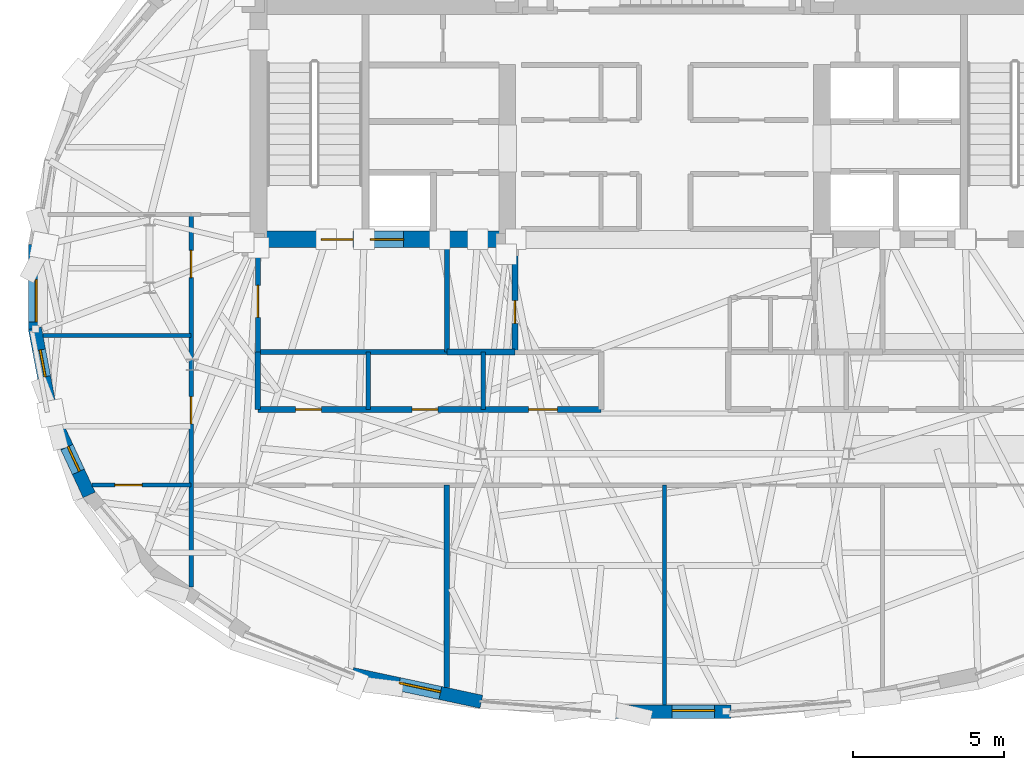
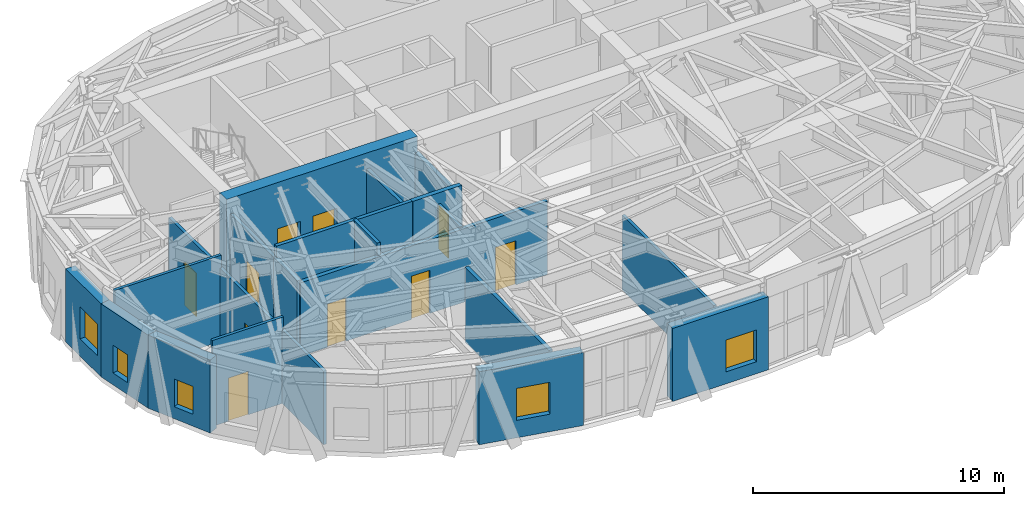
# One storey, part 8 of 15: 20 walls, 10 doors, 5 windows, 15 openings.
"""IFC4 building model written with IfcOpenShell, lengths in metres."""

import ifcopenshell
import ifcopenshell.guid

model = None  # the IFC model being written
_history = None  # IfcOwnerHistory: only IFC2X3 demands one
_inside = {}  # id of a spatial element -> (the spatial element, [elements in it])
_under = {}  # id of a project, library or spatial element -> (it, [spatial elements below it])
_declared = {}  # id of a project -> (the project, [libraries it declares])
_typed = {}  # id of a type object -> (the type object, [elements of that type])
_made_of = {}  # id of a material, layer set ... -> (it, [elements and type objects made of it])


def new_model(schema):
    """Start an empty IFC model of exactly this schema.

    Asked for "IFC4X3", IfcOpenShell would pick the latest addendum, in which some entities
    have other attributes; the version numbers below select the first issue.
    IFC2X3 requires an IfcOwnerHistory on every rooted entity: one is made here for all.
    """
    global model, _history
    if schema == "IFC4X3":
        model = ifcopenshell.file(schema_version=(4, 3, 0, 0))
    else:
        model = ifcopenshell.file(schema=schema)
    _inside.clear()
    _under.clear()
    _declared.clear()
    _typed.clear()
    _made_of.clear()
    _history = None
    if model.schema == "IFC2X3":
        org = make("IfcOrganization", Name="unknown")
        user = make(
            "IfcPersonAndOrganization",
            ThePerson=make("IfcPerson", FamilyName="unknown"),
            TheOrganization=org,
        )
        app = make(
            "IfcApplication",
            ApplicationDeveloper=org,
            Version="unknown",
            ApplicationFullName="unknown",
            ApplicationIdentifier="unknown",
        )
        _history = make(
            "IfcOwnerHistory",
            OwningUser=user,
            OwningApplication=app,
            ChangeAction="ADDED",
            CreationDate=0,
        )
    return model


def make(cls, **values):
    """One entity of the class cls with the attributes given. An attribute that is None is left unset."""
    return model.create_entity(
        cls, **{name: value for name, value in values.items() if value is not None}
    )


def rooted(cls, **values):
    """An entity with a GlobalId (a new one), such as an element, a storey or a relation."""
    return make(cls, GlobalId=ifcopenshell.guid.new(), OwnerHistory=_history, **values)


def si_unit(unit_type, name, prefix=None):
    """IfcSIUnit, for example si_unit("LENGTHUNIT", "METRE", prefix="MILLI")."""
    return make("IfcSIUnit", UnitType=unit_type, Prefix=prefix, Name=name)


def assignment(units):
    """IfcUnitAssignment: the units of a project."""
    return None if units is None else make("IfcUnitAssignment", Units=units)


def point(xyz):
    """IfcCartesianPoint."""
    return None if xyz is None else make("IfcCartesianPoint", Coordinates=xyz)


def direction(xyz):
    """IfcDirection."""
    return None if xyz is None else make("IfcDirection", DirectionRatios=xyz)


def frame(location, z_axis=None, x_axis=None):
    """IfcAxis2Placement3D, a coordinate frame: its origin and axes. An axis left out is left unset."""
    return make(
        "IfcAxis2Placement3D",
        Location=point(location),
        Axis=direction(z_axis),
        RefDirection=direction(x_axis),
    )


def frame_2d(location, x_axis=None):
    """IfcAxis2Placement2D, a coordinate frame in the plane: its origin and x axis."""
    return make(
        "IfcAxis2Placement2D", Location=point(location), RefDirection=direction(x_axis)
    )


def origin():
    """The frame at (0, 0, 0) with its axes left unset."""
    return frame((0.0, 0.0, 0.0))


def place(relative_to, where):
    """IfcLocalPlacement: puts the frame where relative to a parent placement (None: the world)."""
    return make(
        "IfcLocalPlacement", PlacementRelTo=relative_to, RelativePlacement=where
    )


def context(
    kind, dimensions, precision=None, world=None, true_north=None, identifier=None
):
    """IfcGeometricRepresentationContext, for example the 3D "Model" context."""
    return make(
        "IfcGeometricRepresentationContext",
        ContextIdentifier=identifier,
        ContextType=kind,
        CoordinateSpaceDimension=dimensions,
        Precision=precision,
        WorldCoordinateSystem=world,
        TrueNorth=true_north,
    )


def subcontext(parent, identifier, kind, view, scale=None):
    """IfcGeometricRepresentationSubContext, for example "Body" below "Model"."""
    return make(
        "IfcGeometricRepresentationSubContext",
        ContextIdentifier=identifier,
        ContextType=kind,
        ParentContext=parent,
        TargetScale=scale,
        TargetView=view,
    )


def project(units=None, contexts=None):
    """IfcProject with its units and contexts."""
    return rooted(
        "IfcProject",
        Name="project",
        RepresentationContexts=contexts,
        UnitsInContext=assignment(units),
    )


def spatial(cls, under=None, at=None, **own):
    """A site, building, storey or space (cls), placed at a placement, below another one or the project."""
    s = rooted(cls, ObjectPlacement=at, **own)
    if under is not None:
        _under.setdefault(under.id(), (under, []))[1].append(s)
    return s


def profile(cls, at=None, kind="AREA", **sizes):
    """A parametric profile (cls). Its sizes go by their IFC names, for example OverallWidth=200.0."""
    return make(cls, ProfileType=kind, Position=at, **sizes)


def rectangle(**sizes):
    """IfcRectangleProfileDef."""
    return profile("IfcRectangleProfileDef", **sizes)


def extrude(swept, where, along, depth):
    """IfcExtrudedAreaSolid: the profile swept, set in the frame where, extruded along a direction by depth."""
    return make(
        "IfcExtrudedAreaSolid",
        SweptArea=swept,
        Position=where,
        ExtrudedDirection=direction(along),
        Depth=depth,
    )


def shape(context_of_items, identifier, shape_type, items):
    """IfcShapeRepresentation: the items that make up one representation, for example the "Body"."""
    return make(
        "IfcShapeRepresentation",
        ContextOfItems=context_of_items,
        RepresentationIdentifier=identifier,
        RepresentationType=shape_type,
        Items=items,
    )


def material(Name=None, Category=None):
    """IfcMaterial."""
    return make("IfcMaterial", Name=Name, Category=Category)


def layer(
    of_material, thickness, ventilated=None, Name=None, Category=None, Priority=None
):
    """IfcMaterialLayer: one layer of a wall or slab, of a material (None: an air gap)."""
    return make(
        "IfcMaterialLayer",
        Material=of_material,
        LayerThickness=thickness,
        IsVentilated=ventilated,
        Name=Name,
        Category=Category,
        Priority=Priority,
    )


def layer_set(layers, Name=None):
    """IfcMaterialLayerSet."""
    return make("IfcMaterialLayerSet", MaterialLayers=layers, LayerSetName=Name)


def made_of(thing, what):
    """Note that an element or type object is made of a material, layer set ...; save() writes the relation."""
    if what is not None:
        _made_of.setdefault(what.id(), (what, []))[1].append(thing)
    return thing


def type_object(cls, material=None, **own):
    """A type object (cls), such as IfcWallType, which elements share."""
    return made_of(rooted(cls, **own), material)


def element(
    cls,
    number,
    at=None,
    inside=None,
    cuts=None,
    type_object=None,
    material=None,
    context=None,
    identifier="Body",
    shape_type=None,
    held_by="IfcProductDefinitionShape",
    body=None,
    shapes=None,
    **own,
):
    """One element of the class cls, such as IfcWall. Its Tag is "e" and its number.

    at: its placement. inside: the storey or other place that contains it. cuts: it is an
    opening in that element (IfcRelVoidsElement). A single representation is given by context,
    identifier, shape_type and body (its items); several are given by shapes. held_by: the class
    of the entity that holds the representations. save() writes the other relations.
    """
    e = rooted(cls, Tag="e%d" % number, ObjectPlacement=at, **own)
    if body is not None:
        shapes = [shape(context, identifier, shape_type, body)]
    if shapes is not None:
        e.Representation = make(held_by, Representations=shapes)
    if inside is not None:
        _inside.setdefault(inside.id(), (inside, []))[1].append(e)
    if cuts is not None:
        rooted(
            "IfcRelVoidsElement", RelatingBuildingElement=cuts, RelatedOpeningElement=e
        )
    if type_object is not None:
        _typed.setdefault(type_object.id(), (type_object, []))[1].append(e)
    return made_of(e, material)


def fill(opening, filler):
    """IfcRelFillsElement: the door or window that sits in an opening."""
    return rooted(
        "IfcRelFillsElement",
        RelatingOpeningElement=opening,
        RelatedBuildingElement=filler,
    )


def aggregate(whole, parts):
    """IfcRelAggregates: a whole, such as a stair, and the parts it consists of."""
    return rooted("IfcRelAggregates", RelatingObject=whole, RelatedObjects=parts)


def save(model, path):
    """Write the relations noted so far, then the file.

    IfcRelAggregates (storeys below a building ...), IfcRelContainedInSpatialStructure (elements
    in a storey), IfcRelDefinesByType, IfcRelAssociatesMaterial and IfcRelDeclares: one each for
    every whole, place, type object, material and project.
    """
    for whole, parts in _under.values():
        aggregate(whole, parts)
    for where, things in _inside.values():
        rooted(
            "IfcRelContainedInSpatialStructure",
            RelatedElements=things,
            RelatingStructure=where,
        )
    for kind, things in _typed.values():
        rooted("IfcRelDefinesByType", RelatedObjects=things, RelatingType=kind)
    for what, things in _made_of.values():
        rooted("IfcRelAssociatesMaterial", RelatedObjects=things, RelatingMaterial=what)
    for by, libraries in _declared.values():
        rooted("IfcRelDeclares", RelatingContext=by, RelatedDefinitions=libraries)
    model.write(path)


model = new_model("IFC4")

# Units and contexts
model_context = context("Model", 3, precision=1e-05, world=origin(), true_north=direction((0.0, 1.0)))
body_context = subcontext(model_context, "Body", "Model", "MODEL_VIEW")
ifc_project = project(units=[si_unit("LENGTHUNIT", "METRE"), si_unit("AREAUNIT", "SQUARE_METRE"), si_unit("VOLUMEUNIT", "CUBIC_METRE"), si_unit("PLANEANGLEUNIT", "RADIAN"), si_unit("MASSUNIT", "GRAM", prefix="KILO")], contexts=[model_context])

# Site, building, storey
site_placement = place(None, origin())
site = spatial("IfcSite", under=ifc_project, at=site_placement, CompositionType="ELEMENT")
building_placement = place(site_placement, origin())
building = spatial("IfcBuilding", under=site, at=building_placement, Name="Keldmark Tower", CompositionType="ELEMENT")
storey_placement = place(building_placement, frame((0.0, 0.0, 260.39990234375)))
storey = spatial("IfcBuildingStorey", under=building, at=storey_placement, Name="L74", CompositionType="ELEMENT", Elevation=260.39990234375)

# Wall, openings, doors
ifc_material_1 = material(Name="Acoustic Double-Layer Gypsum Corridor Partition", Category="gypsum")
ifc_layer_1 = layer(ifc_material_1, 0.139892578125)
ifc_layer_set_1 = layer_set([ifc_layer_1], Name="Acoustic Double-Layer Gypsum Corridor Partition")
wall_type_1 = type_object("IfcWallType", Name="Acoustic Corridor Partition 140 mm", PredefinedType="PARTITIONING", material=ifc_layer_set_1)
wall_1_placement = place(storey_placement, frame((-15.64990234375, -9.920654296875, 0.0), z_axis=(0.0, 0.0, 1.0), x_axis=(0.0, 1.0, 0.0)))
wall_1 = element("IfcWall", 1, at=wall_1_placement, inside=storey, type_object=wall_type_1, Name="L74 Acoustic Corridor Partition 140 mm COR-W", PredefinedType="PARTITIONING", context=body_context, shape_type="SweptSolid", body=[
    extrude(rectangle(XDim=12.320556640625, YDim=0.139892578125, at=frame_2d((6.16015625, 0.0))), origin(), (0.0, 0.0, 1.0), 3.567138671875),
])
opening_1_placement = place(wall_1_placement, frame((5.3955078125, 0.0, 0.0)))
opening_1 = element("IfcOpeningElement", 2, at=opening_1_placement, cuts=wall_1, Name="Opening D-IN090", PredefinedType="OPENING", context=body_context, shape_type="SweptSolid", body=[
    extrude(rectangle(XDim=0.89990234375, YDim=2.10009765625, at=frame_2d((0.449951171875, 1.050048828125))), frame((0.0, 0.079833984375, 0.0), z_axis=(0.0, -1.0, 0.0), x_axis=(1.0, 0.0, 0.0)), (0.0, 0.0, 1.0), 0.159912109375),
])
opening_2_placement = place(wall_1_placement, frame((10.230712890625, 0.0, 0.0)))
opening_2 = element("IfcOpeningElement", 3, at=opening_2_placement, cuts=wall_1, Name="Opening D-IN090", PredefinedType="OPENING", context=body_context, shape_type="SweptSolid", body=[
    extrude(rectangle(XDim=0.89990234375, YDim=2.10009765625, at=frame_2d((0.449951171875, 1.050048828125))), frame((0.0, 0.079833984375, 0.0), z_axis=(0.0, -1.0, 0.0), x_axis=(1.0, 0.0, 0.0)), (0.0, 0.0, 1.0), 0.159912109375),
])
ifc_material_2 = material(Name="Stained American White Oak Veneer", Category="wood")
door_type_1 = type_object("IfcDoorType", Name="Interior Door 900x2100", OperationType="NOTDEFINED", PredefinedType="DOOR", material=ifc_material_2)
door_1_placement = place(opening_1_placement, origin())
door_1 = element("IfcDoor", 4, at=door_1_placement, inside=storey, type_object=door_type_1, Name="L74 Interior Door 900x2100 D-WR-1-L74", OperationType="SINGLE_SWING_LEFT", OverallHeight=2.10009765625, OverallWidth=0.89990234375, PredefinedType="DOOR", context=body_context, shape_type="SweptSolid", body=[
    extrude(rectangle(XDim=0.89990234375, YDim=2.10009765625, at=frame_2d((0.449951171875, 1.050048828125))), frame((0.0, 0.02490234375, 0.0), z_axis=(0.0, -1.0, 0.0), x_axis=(1.0, 0.0, 0.0)), (0.0, 0.0, 1.0), 0.050048828125),
])
fill(opening_1, door_1)
door_2_placement = place(opening_2_placement, origin())
door_2 = element("IfcDoor", 5, at=door_2_placement, inside=storey, type_object=door_type_1, Name="L74 Interior Door 900x2100 D-WR-2-L74", OperationType="SINGLE_SWING_RIGHT", OverallHeight=2.10009765625, OverallWidth=0.89990234375, PredefinedType="DOOR", context=body_context, shape_type="SweptSolid", body=[
    extrude(rectangle(XDim=0.89990234375, YDim=2.10009765625, at=frame_2d((0.449951171875, 1.050048828125))), frame((0.0, 0.02490234375, 0.0), z_axis=(0.0, -1.0, 0.0), x_axis=(1.0, 0.0, 0.0)), (0.0, 0.0, 1.0), 0.050048828125),
])
fill(opening_2, door_2)

# Wall
ifc_material_3 = material(Name="STC-58 Insulated Tenant Demising Gypsum Partition", Category="gypsum")
ifc_layer_2 = layer(ifc_material_3, 0.175048828125)
ifc_layer_set_2 = layer_set([ifc_layer_2], Name="STC-58 Insulated Tenant Demising Gypsum Partition")
wall_type_2 = type_object("IfcWallType", Name="Demising Suite Partition 175 mm", PredefinedType="PARTITIONING", material=ifc_layer_set_2)
wall_2_placement = place(storey_placement, frame((-7.199951171875, -13.23095703125, 0.0), z_axis=(0.0, 0.0, 1.0), x_axis=(0.0, 1.0, 0.0)))
element("IfcWall", 6, at=wall_2_placement, inside=storey, type_object=wall_type_2, Name="L74 Demising Suite Partition 175 mm S-DIV-1", PredefinedType="PARTITIONING", context=body_context, shape_type="SweptSolid", body=[
    extrude(rectangle(XDim=6.680908203125, YDim=0.175048828125, at=frame_2d((3.34033203125, 0.0))), origin(), (0.0, 0.0, 1.0), 3.633056640625),
])

# Wall, openings, doors
ifc_material_4 = material(Name="Heavy Acoustic Plumbing Chase Gypsum Assembly", Category="gypsum")
ifc_layer_3 = layer(ifc_material_4, 0.18994140625)
ifc_layer_set_3 = layer_set([ifc_layer_3], Name="Heavy Acoustic Plumbing Chase Gypsum Assembly")
wall_type_3 = type_object("IfcWallType", Name="Heavy Wet Wall 190 mm", PredefinedType="PLUMBINGWALL", material=ifc_layer_set_3)
wall_3_placement = place(storey_placement, frame((-13.449951171875, -4.050048828125, 0.0), z_axis=(0.0, 0.0, 1.0), x_axis=(1.0, 0.0, 0.0)))
wall_3 = element("IfcWall", 7, at=wall_3_placement, inside=storey, type_object=wall_type_3, Name="L74 Heavy Wet Wall 190 mm SPK-W-S", PredefinedType="PLUMBINGWALL", context=body_context, shape_type="SweptSolid", body=[
    extrude(rectangle(XDim=11.349853515625, YDim=0.18994140625, at=frame_2d((5.6748046875, 0.0))), origin(), (0.0, 0.0, 1.0), 3.567138671875),
])
opening_3_placement = place(wall_3_placement, frame((1.25, 0.0, 0.0)))
opening_3 = element("IfcOpeningElement", 8, at=opening_3_placement, cuts=wall_3, Name="Opening D-WC085", PredefinedType="OPENING", context=body_context, shape_type="SweptSolid", body=[
    extrude(rectangle(XDim=0.85009765625, YDim=2.10009765625, at=frame_2d((0.425048828125, 1.050048828125))), frame((0.0, 0.10498046875, 0.0), z_axis=(0.0, -1.0, 0.0), x_axis=(1.0, 0.0, 0.0)), (0.0, 0.0, 1.0), 0.2099609375),
])
opening_4_placement = place(wall_3_placement, frame((5.10009765625, 0.0, 0.0)))
opening_4 = element("IfcOpeningElement", 9, at=opening_4_placement, cuts=wall_3, Name="Opening D-WC085", PredefinedType="OPENING", context=body_context, shape_type="SweptSolid", body=[
    extrude(rectangle(XDim=0.85009765625, YDim=2.10009765625, at=frame_2d((0.425048828125, 1.050048828125))), frame((0.0, 0.10498046875, 0.0), z_axis=(0.0, -1.0, 0.0), x_axis=(1.0, 0.0, 0.0)), (0.0, 0.0, 1.0), 0.2099609375),
])
opening_5_placement = place(wall_3_placement, frame((8.949951171875, 0.0, 0.0)))
opening_5 = element("IfcOpeningElement", 10, at=opening_5_placement, cuts=wall_3, Name="Opening D-AWC95", PredefinedType="OPENING", context=body_context, shape_type="SweptSolid", body=[
    extrude(rectangle(XDim=0.949951171875, YDim=2.14990234375, at=frame_2d((0.47509765625, 1.074951171875))), frame((0.0, 0.10498046875, 0.0), z_axis=(0.0, -1.0, 0.0), x_axis=(1.0, 0.0, 0.0)), (0.0, 0.0, 1.0), 0.2099609375),
])
ifc_material_5 = material(Name="Painted Solid-Core Architectural Wood", Category="wood")
door_type_2 = type_object("IfcDoorType", Name="Accessible WC Door 950x2150", OperationType="NOTDEFINED", PredefinedType="DOOR", material=ifc_material_5)
door_3_placement = place(opening_5_placement, origin())
door_3 = element("IfcDoor", 11, at=door_3_placement, inside=storey, type_object=door_type_2, Name="L74 Accessible WC Door 950x2150 D-SPKW3-L74", OperationType="SINGLE_SWING_LEFT", OverallHeight=2.14990234375, OverallWidth=0.949951171875, PredefinedType="DOOR", context=body_context, shape_type="SweptSolid", body=[
    extrude(rectangle(XDim=0.949951171875, YDim=2.14990234375, at=frame_2d((0.47509765625, 1.074951171875))), frame((0.0, 0.02490234375, 0.0), z_axis=(0.0, -1.0, 0.0), x_axis=(1.0, 0.0, 0.0)), (0.0, 0.0, 1.0), 0.050048828125),
])
fill(opening_5, door_3)
ifc_material_6 = material(Name="Moisture-Sealed Painted Wood", Category="wood")
door_type_3 = type_object("IfcDoorType", Name="WC Door 850x2100", OperationType="NOTDEFINED", PredefinedType="DOOR", material=ifc_material_6)
door_4_placement = place(opening_3_placement, origin())
door_4 = element("IfcDoor", 12, at=door_4_placement, inside=storey, type_object=door_type_3, Name="L74 WC Door 850x2100 D-SPKW1-L74", OperationType="SINGLE_SWING_LEFT", OverallHeight=2.10009765625, OverallWidth=0.85009765625, PredefinedType="DOOR", context=body_context, shape_type="SweptSolid", body=[
    extrude(rectangle(XDim=0.85009765625, YDim=2.10009765625, at=frame_2d((0.425048828125, 1.050048828125))), frame((0.0, 0.02490234375, 0.0), z_axis=(0.0, -1.0, 0.0), x_axis=(1.0, 0.0, 0.0)), (0.0, 0.0, 1.0), 0.050048828125),
])
fill(opening_3, door_4)
door_5_placement = place(opening_4_placement, origin())
door_5 = element("IfcDoor", 13, at=door_5_placement, inside=storey, type_object=door_type_3, Name="L74 WC Door 850x2100 D-SPKW2-L74", OperationType="SINGLE_SWING_RIGHT", OverallHeight=2.10009765625, OverallWidth=0.85009765625, PredefinedType="DOOR", context=body_context, shape_type="SweptSolid", body=[
    extrude(rectangle(XDim=0.85009765625, YDim=2.10009765625, at=frame_2d((0.425048828125, 1.050048828125))), frame((0.0, 0.02490234375, 0.0), z_axis=(0.0, -1.0, 0.0), x_axis=(1.0, 0.0, 0.0)), (0.0, 0.0, 1.0), 0.050048828125),
])
fill(opening_4, door_5)

# Wall
wall_4_placement = place(storey_placement, frame((-13.449951171875, -4.050048828125, 0.0), z_axis=(0.0, 0.0, 1.0), x_axis=(0.0, 1.0, 0.0)))
element("IfcWall", 14, at=wall_4_placement, inside=storey, type_object=wall_type_3, Name="L74 Heavy Wet Wall 190 mm SPK-W-W", PredefinedType="PLUMBINGWALL", context=body_context, shape_type="SweptSolid", body=[
    extrude(rectangle(XDim=1.900146484375, YDim=0.18994140625, at=frame_2d((0.9501953125, 0.0))), origin(), (0.0, 0.0, 1.0), 3.633056640625),
])

# Wall, openings, doors
ifc_material_7 = material(Name="Concrete C50/60", Category="concrete")
ifc_layer_4 = layer(ifc_material_7, 0.550048828125)
ifc_layer_set_4 = layer_set([ifc_layer_4], Name="Concrete C50/60")
wall_type_4 = type_object("IfcWallType", Name="High-Rise Core Shear Wall 550 mm", PredefinedType="SHEAR", material=ifc_layer_set_4)
wall_5_placement = place(storey_placement, frame((-4.925048828125, 1.574951171875, 0.0), z_axis=(0.0, 0.0, 1.0), x_axis=(-1.0, 0.0, 0.0)))
wall_5 = element("IfcWall", 15, at=wall_5_placement, inside=storey, type_object=wall_type_4, Name="L74 West Core South Shear Wall", PredefinedType="SHEAR", context=body_context, shape_type="SweptSolid", body=[
    extrude(rectangle(XDim=8.77490234375, YDim=0.550048828125, at=frame_2d((4.387451171875, 0.0))), origin(), (0.0, 0.0, 1.0), 4.400146484375),
])
opening_6_placement = place(wall_5_placement, frame((5.375, 0.0, 0.0)))
opening_6 = element("IfcOpeningElement", 16, at=opening_6_placement, cuts=wall_5, Name="Opening D-ST105", PredefinedType="OPENING", context=body_context, shape_type="SweptSolid", body=[
    extrude(rectangle(XDim=1.050048828125, YDim=2.14990234375, at=frame_2d((0.52490234375, 1.074951171875))), frame((0.0, 0.284912109375, 0.0), z_axis=(0.0, -1.0, 0.0), x_axis=(1.0, 0.0, 0.0)), (0.0, 0.0, 1.0), 0.570068359375),
])
opening_7_placement = place(wall_5_placement, frame((3.705078125, 0.0, 0.0)))
opening_7 = element("IfcOpeningElement", 17, at=opening_7_placement, cuts=wall_5, Name="Opening LD-110", PredefinedType="OPENING", context=body_context, shape_type="SweptSolid", body=[
    extrude(rectangle(XDim=1.10009765625, YDim=2.199951171875, at=frame_2d((0.550048828125, 1.10009765625))), frame((0.0, 0.284912109375, 0.0), z_axis=(0.0, -1.0, 0.0), x_axis=(1.0, 0.0, 0.0)), (0.0, 0.0, 1.0), 0.570068359375),
])
ifc_material_8 = material(Name="Brushed Bronze Hoistway Sliding Leaf", Category="metal")
door_type_4 = type_object("IfcDoorType", Name="Lift Landing Sliding Door 1100x2200", OperationType="SLIDING_TO_LEFT", PredefinedType="DOOR", material=ifc_material_8)
door_6_placement = place(opening_7_placement, origin())
door_6 = element("IfcDoor", 18, at=door_6_placement, inside=storey, type_object=door_type_4, Name="L74 Lift Landing Sliding Door 1100x2200 LD-EL-FS1-L74", OperationType="SLIDING_TO_LEFT", OverallHeight=2.199951171875, OverallWidth=1.10009765625, PredefinedType="DOOR", context=body_context, shape_type="SweptSolid", body=[
    extrude(rectangle(XDim=1.10009765625, YDim=2.199951171875, at=frame_2d((0.550048828125, 1.10009765625))), frame((0.0, 0.02490234375, 0.0), z_axis=(0.0, -1.0, 0.0), x_axis=(1.0, 0.0, 0.0)), (0.0, 0.0, 1.0), 0.050048828125),
])
fill(opening_7, door_6)
ifc_material_9 = material(Name="Hollow Metal Fire-Rated Door Assembly", Category="metal")
door_type_5 = type_object("IfcDoorType", Name="Stair Fire Door 1050x2150", OperationType="NOTDEFINED", PredefinedType="DOOR", material=ifc_material_9)
door_7_placement = place(opening_6_placement, origin())
door_7 = element("IfcDoor", 19, at=door_7_placement, inside=storey, type_object=door_type_5, Name="L74 Stair Fire Door 1050x2150 D-ST1-L74", OperationType="SINGLE_SWING_RIGHT", OverallHeight=2.14990234375, OverallWidth=1.050048828125, PredefinedType="DOOR", context=body_context, shape_type="SweptSolid", body=[
    extrude(rectangle(XDim=1.050048828125, YDim=2.14990234375, at=frame_2d((0.52490234375, 1.074951171875))), frame((0.0, 0.02490234375, 0.0), z_axis=(0.0, -1.0, 0.0), x_axis=(1.0, 0.0, 0.0)), (0.0, 0.0, 1.0), 0.050048828125),
])
fill(opening_6, door_7)

# Wall
ifc_material_10 = material(Name="Acoustic Gypsum Board Interior Partition", Category="gypsum")
ifc_layer_5 = layer(ifc_material_10, 0.1298828125)
ifc_layer_set_5 = layer_set([ifc_layer_5], Name="Acoustic Gypsum Board Interior Partition")
wall_type_5 = type_object("IfcWallType", Name="Interior Partition 130 mm", PredefinedType="PARTITIONING", material=ifc_layer_set_5)
wall_6_placement = place(storey_placement, frame((0.0, -13.811279296875, 0.0), z_axis=(0.0, 0.0, 1.0), x_axis=(0.0, 1.0, 0.0)))
element("IfcWall", 20, at=wall_6_placement, inside=storey, type_object=wall_type_5, Name="L74 Interior Partition 130 mm S-DIV-2", PredefinedType="PARTITIONING", context=body_context, shape_type="SweptSolid", body=[
    extrude(rectangle(XDim=7.26123046875, YDim=0.1298828125, at=frame_2d((3.630615234375, 0.0))), origin(), (0.0, 0.0, 1.0), 3.633056640625),
])

# Wall, opening, door
wall_7_placement = place(storey_placement, frame((-18.920654296875, -6.550048828125, 0.0), z_axis=(0.0, 0.0, 1.0), x_axis=(1.0, 0.0, 0.0)))
wall_7 = element("IfcWall", 21, at=wall_7_placement, inside=storey, type_object=wall_type_5, Name="L74 Interior Partition 130 mm W-CAP-S", PredefinedType="PARTITIONING", context=body_context, shape_type="SweptSolid", body=[
    extrude(rectangle(XDim=3.270751953125, YDim=0.1298828125, at=frame_2d((1.63525390625, 0.0))), origin(), (0.0, 0.0, 1.0), 4.18017578125),
])
opening_8_placement = place(wall_7_placement, frame((0.75, 0.0, 0.0)))
opening_8 = element("IfcOpeningElement", 22, at=opening_8_placement, cuts=wall_7, Name="Opening D-IN090", PredefinedType="OPENING", context=body_context, shape_type="SweptSolid", body=[
    extrude(rectangle(XDim=0.89990234375, YDim=2.10009765625, at=frame_2d((0.449951171875, 1.050048828125))), frame((0.0, 0.074951171875, 0.0), z_axis=(0.0, -1.0, 0.0), x_axis=(1.0, 0.0, 0.0)), (0.0, 0.0, 1.0), 0.14990234375),
])
door_8_placement = place(opening_8_placement, origin())
door_8 = element("IfcDoor", 23, at=door_8_placement, inside=storey, type_object=door_type_1, Name="L74 Interior Door 900x2100 D-WRSW-L74", OperationType="SINGLE_SWING_LEFT", OverallHeight=2.10009765625, OverallWidth=0.89990234375, PredefinedType="DOOR", context=body_context, shape_type="SweptSolid", body=[
    extrude(rectangle(XDim=0.89990234375, YDim=2.10009765625, at=frame_2d((0.449951171875, 1.050048828125))), frame((0.0, 0.02490234375, 0.0), z_axis=(0.0, -1.0, 0.0), x_axis=(1.0, 0.0, 0.0)), (0.0, 0.0, 1.0), 0.050048828125),
])
fill(opening_8, door_8)

# Walls
wall_8_placement = place(storey_placement, frame((-20.540771484375, -1.60009765625, 0.0), z_axis=(0.0, 0.0, 1.0), x_axis=(1.0, 0.0, 0.0)))
element("IfcWall", 24, at=wall_8_placement, inside=storey, type_object=wall_type_5, Name="L74 Interior Partition 130 mm W-DIV-1", PredefinedType="PARTITIONING", context=body_context, shape_type="SweptSolid", body=[
    extrude(rectangle(XDim=4.890869140625, YDim=0.1298828125, at=frame_2d((2.4453125, 0.0))), origin(), (0.0, 0.0, 1.0), 4.18017578125),
])
ifc_material_11 = material(Name="Type X Fire-Rated Gypsum Partition Assembly", Category="gypsum")
ifc_layer_6 = layer(ifc_material_11, 0.1650390625)
ifc_layer_set_6 = layer_set([ifc_layer_6], Name="Type X Fire-Rated Gypsum Partition Assembly")
wall_type_6 = type_object("IfcWallType", Name="Rated Partition 165 mm", PredefinedType="PARTITIONING", material=ifc_layer_set_6)
wall_9_placement = place(storey_placement, frame((-13.449951171875, -2.14990234375, 0.0), z_axis=(0.0, 0.0, 1.0), x_axis=(1.0, 0.0, 0.0)))
element("IfcWall", 25, at=wall_9_placement, inside=storey, type_object=wall_type_6, Name="L74 Rated Partition 165 mm FSAE-W-S", PredefinedType="PARTITIONING", context=body_context, shape_type="SweptSolid", body=[
    extrude(rectangle(XDim=6.25, YDim=0.1650390625, at=frame_2d((3.125, 0.0))), origin(), (0.0, 0.0, 1.0), 4.18017578125),
])

# Wall, opening, door
wall_10_placement = place(storey_placement, frame((-13.449951171875, -2.14990234375, 0.0), z_axis=(0.0, 0.0, 1.0), x_axis=(0.0, 1.0, 0.0)))
wall_10 = element("IfcWall", 26, at=wall_10_placement, inside=storey, type_object=wall_type_6, Name="L74 Rated Partition 165 mm FSAE-W-W", PredefinedType="PARTITIONING", context=body_context, shape_type="SweptSolid", body=[
    extrude(rectangle(XDim=3.5, YDim=0.1650390625, at=frame_2d((1.75, 0.0))), origin(), (0.0, 0.0, 1.0), 3.633056640625),
])
opening_9_placement = place(wall_10_placement, frame((1.14990234375, 0.0, 0.0)))
opening_9 = element("IfcOpeningElement", 27, at=opening_9_placement, cuts=wall_10, Name="Opening D-FL105", PredefinedType="OPENING", context=body_context, shape_type="SweptSolid", body=[
    extrude(rectangle(XDim=1.050048828125, YDim=2.14990234375, at=frame_2d((0.52490234375, 1.074951171875))), frame((0.0, 0.092529296875, 0.0), z_axis=(0.0, -1.0, 0.0), x_axis=(1.0, 0.0, 0.0)), (0.0, 0.0, 1.0), 0.18505859375),
])
ifc_material_12 = material(Name="Fire-Rated Mineral-Core Door and Vision Lite", Category="metal")
door_type_6 = type_object("IfcDoorType", Name="Fire Lobby Door 1050x2150", OperationType="NOTDEFINED", PredefinedType="DOOR", material=ifc_material_12)
door_9_placement = place(opening_9_placement, origin())
door_9 = element("IfcDoor", 28, at=door_9_placement, inside=storey, type_object=door_type_6, Name="L74 Fire Lobby Door 1050x2150 D-FSAEW-OUT-L74", OperationType="SINGLE_SWING_LEFT", OverallHeight=2.14990234375, OverallWidth=1.050048828125, PredefinedType="DOOR", context=body_context, shape_type="SweptSolid", body=[
    extrude(rectangle(XDim=1.050048828125, YDim=2.14990234375, at=frame_2d((0.52490234375, 1.074951171875))), frame((0.0, 0.02490234375, 0.0), z_axis=(0.0, -1.0, 0.0), x_axis=(1.0, 0.0, 0.0)), (0.0, 0.0, 1.0), 0.050048828125),
])
fill(opening_9, door_9)

# Walls
wall_11_placement = place(storey_placement, frame((-7.199951171875, -2.14990234375, 0.0), z_axis=(0.0, 0.0, 1.0), x_axis=(0.0, 1.0, 0.0)))
element("IfcWall", 29, at=wall_11_placement, inside=storey, type_object=wall_type_6, Name="L74 Rated Partition 165 mm FSAE-W-E", PredefinedType="PARTITIONING", context=body_context, shape_type="SweptSolid", body=[
    extrude(rectangle(XDim=3.5, YDim=0.1650390625, at=frame_2d((1.75, 0.0))), origin(), (0.0, 0.0, 1.0), 3.633056640625),
])
ifc_material_13 = material(Name="Fire-Resistant Type X Gypsum Shaftliner Coreboard", Category="gypsum")
ifc_layer_7 = layer(ifc_material_13, 0.199951171875)
ifc_layer_set_7 = layer_set([ifc_layer_7], Name="Fire-Resistant Type X Gypsum Shaftliner Coreboard")
wall_type_7 = type_object("IfcWallType", Name="Shaft Wall 200 mm", PredefinedType="SOLIDWALL", material=ifc_layer_set_7)
wall_12_placement = place(storey_placement, frame((-7.199951171875, -2.14990234375, 0.0), z_axis=(0.0, 0.0, 1.0), x_axis=(1.0, 0.0, 0.0)))
element("IfcWall", 30, at=wall_12_placement, inside=storey, type_object=wall_type_7, Name="L74 Shaft Wall 200 mm RIS-SW-S", PredefinedType="SOLIDWALL", context=body_context, shape_type="SweptSolid", body=[
    extrude(rectangle(XDim=2.25, YDim=0.199951171875, at=frame_2d((1.125, 0.0))), origin(), (0.0, 0.0, 1.0), 4.18017578125),
])

# Wall, opening, door
wall_13_placement = place(storey_placement, frame((-4.949951171875, -2.14990234375, 0.0), z_axis=(0.0, 0.0, 1.0), x_axis=(0.0, 1.0, 0.0)))
wall_13 = element("IfcWall", 31, at=wall_13_placement, inside=storey, type_object=wall_type_7, Name="L74 Shaft Wall 200 mm RIS-SW-E", PredefinedType="SOLIDWALL", context=body_context, shape_type="SweptSolid", body=[
    extrude(rectangle(XDim=3.5, YDim=0.199951171875, at=frame_2d((1.75, 0.0))), origin(), (0.0, 0.0, 1.0), 3.633056640625),
])
opening_10_placement = place(wall_13_placement, frame((0.949951171875, 0.0, 0.0)))
opening_10 = element("IfcOpeningElement", 32, at=opening_10_placement, cuts=wall_13, Name="Opening D-RS075", PredefinedType="OPENING", context=body_context, shape_type="SweptSolid", body=[
    extrude(rectangle(XDim=0.75, YDim=2.10009765625, at=frame_2d((0.375, 1.050048828125))), frame((0.0, 0.10986328125, 0.0), z_axis=(0.0, -1.0, 0.0), x_axis=(1.0, 0.0, 0.0)), (0.0, 0.0, 1.0), 0.219970703125),
])
ifc_material_14 = material(Name="Galvanized Fire-Rated Access Leaf", Category="metal")
door_type_7 = type_object("IfcDoorType", Name="Riser Access Door 750x2100", OperationType="NOTDEFINED", PredefinedType="DOOR", material=ifc_material_14)
door_10_placement = place(opening_10_placement, origin())
door_10 = element("IfcDoor", 33, at=door_10_placement, inside=storey, type_object=door_type_7, Name="L74 Riser Access Door 750x2100 D-RISSW-L74", OperationType="SINGLE_SWING_RIGHT", OverallHeight=2.10009765625, OverallWidth=0.75, PredefinedType="DOOR", context=body_context, shape_type="SweptSolid", body=[
    extrude(rectangle(XDim=0.75, YDim=2.10009765625, at=frame_2d((0.375, 1.050048828125))), frame((0.0, 0.02490234375, 0.0), z_axis=(0.0, -1.0, 0.0), x_axis=(1.0, 0.0, 0.0)), (0.0, 0.0, 1.0), 0.050048828125),
])
fill(opening_10, door_10)

# Wall, opening, window
ifc_material_15 = material(Name="Ironspot Manganese Brick and Kasota Buff Limestone Spandrel Assembly", Category="masonry")
ifc_layer_8 = layer(ifc_material_15, 0.43994140625)
ifc_layer_set_8 = layer_set([ifc_layer_8], Name="Ironspot Manganese Brick and Kasota Buff Limestone Spandrel Assembly")
wall_type_8 = type_object("IfcWallType", Name="Tower Brick Pier and Spandrel Wall 440 mm", PredefinedType="STANDARD", material=ifc_layer_set_8)
wall_14_placement = place(storey_placement, frame((-20.813720703125, -1.404296875, 0.0), z_axis=(0.0, 0.0, 1.0), x_axis=(0.0, 1.0, 0.0)))
wall_14 = element("IfcWall", 34, at=wall_14_placement, inside=storey, type_object=wall_type_8, Name="L74 Exterior Brick and Spandrel Wall 16", PredefinedType="STANDARD", context=body_context, shape_type="SweptSolid", body=[
    extrude(rectangle(XDim=2.80859375, YDim=0.43994140625, at=frame_2d((1.404296875, 0.0))), origin(), (0.0, 0.0, 1.0), 3.546142578125),
])
opening_11_placement = place(wall_14_placement, frame((0.248046875, 0.0, 0.85009765625)))
opening_11 = element("IfcOpeningElement", 35, at=opening_11_placement, cuts=wall_14, Name="Opening W-08", PredefinedType="OPENING", context=body_context, shape_type="SweptSolid", body=[
    extrude(rectangle(XDim=1.39990234375, YDim=1.550048828125, at=frame_2d((0.699951171875, 0.77490234375))), frame((0.0, 0.22998046875, 0.0), z_axis=(0.0, -1.0, 0.0), x_axis=(1.0, 0.0, 0.0)), (0.0, 0.0, 1.0), 0.4599609375),
])
ifc_material_16 = material(Name="Thermally Broken Anodized Aluminum and Triple Low-E Argon Glazing", Category="aluminium")
window_type_1 = type_object("IfcWindowType", Name="Residential Corner Punched Window 1400x1550", PartitioningType="SINGLE_PANEL", PredefinedType="WINDOW", material=ifc_material_16)
window_1_placement = place(opening_11_placement, origin())
window_1 = element("IfcWindow", 36, at=window_1_placement, inside=storey, type_object=window_type_1, Name="L74 Deep-Set Window 16", OverallHeight=1.550048828125, OverallWidth=1.39990234375, PartitioningType="SINGLE_PANEL", PredefinedType="WINDOW", context=body_context, shape_type="SweptSolid", body=[
    extrude(rectangle(XDim=1.39990234375, YDim=1.550048828125, at=frame_2d((0.699951171875, 0.77490234375))), frame((0.0, -0.010009765625, 0.0), z_axis=(0.0, -1.0, 0.0), x_axis=(1.0, 0.0, 0.0)), (0.0, 0.0, 1.0), 0.06005859375),
])
fill(opening_11, window_1)

wall_15_placement = place(storey_placement, frame((-20.286376953125, -4.175537109375, 0.0), z_axis=(0.0, 0.0, 1.0), x_axis=(-0.185555519657, 0.982633781795, 0.0)))
wall_15 = element("IfcWall", 37, at=wall_15_placement, inside=storey, type_object=wall_type_8, Name="L74 Exterior Brick and Spandrel Wall 17", PredefinedType="STANDARD", context=body_context, shape_type="SweptSolid", body=[
    extrude(rectangle(XDim=2.86181640625, YDim=0.43994140625, at=frame_2d((1.430908203125, 0.0))), origin(), (0.0, 0.0, 1.0), 3.546142578125),
])
opening_12_placement = place(wall_15_placement, frame((1.224853515625, 0.0, 0.580078125)))
opening_12 = element("IfcOpeningElement", 38, at=opening_12_placement, cuts=wall_15, Name="Opening W-09", PredefinedType="OPENING", context=body_context, shape_type="SweptSolid", body=[
    extrude(rectangle(XDim=0.89990234375, YDim=1.35009765625, at=frame_2d((0.449951171875, 0.675048828125))), frame((0.0, 0.22998046875, 0.0), z_axis=(0.0, -1.0, 0.0), x_axis=(1.0, 0.0, 0.0)), (0.0, 0.0, 1.0), 0.4599609375),
])
ifc_material_17 = material(Name="Thermally Broken Anodized Aluminum and Triple Low-E Argon Glazing", Category="aluminium")
window_type_2 = type_object("IfcWindowType", Name="Corner Pier Deep-Set Window 900x1350", PartitioningType="SINGLE_PANEL", PredefinedType="WINDOW", material=ifc_material_17)
window_2_placement = place(opening_12_placement, origin())
window_2 = element("IfcWindow", 39, at=window_2_placement, inside=storey, type_object=window_type_2, Name="L74 Deep-Set Window 17", OverallHeight=1.35009765625, OverallWidth=0.89990234375, PartitioningType="SINGLE_PANEL", PredefinedType="WINDOW", context=body_context, shape_type="SweptSolid", body=[
    extrude(rectangle(XDim=0.89990234375, YDim=1.35009765625, at=frame_2d((0.449951171875, 0.675048828125))), frame((0.0, -0.010009765625, 0.0), z_axis=(0.0, -1.0, 0.0), x_axis=(1.0, 0.0, 0.0)), (0.0, 0.0, 1.0), 0.06005859375),
])
fill(opening_12, window_2)

wall_16_placement = place(storey_placement, frame((-19.02197265625, -6.872314453125, 0.0), z_axis=(0.0, 0.0, 1.0), x_axis=(-0.422378607623, 0.906419501016, 0.0)))
wall_16 = element("IfcWall", 40, at=wall_16_placement, inside=storey, type_object=wall_type_8, Name="L74 Exterior Brick and Spandrel Wall 18", PredefinedType="STANDARD", context=body_context, shape_type="SweptSolid", body=[
    extrude(rectangle(XDim=3.032958984375, YDim=0.43994140625, at=frame_2d((1.5166015625, 0.0))), origin(), (0.0, 0.0, 1.0), 3.546142578125),
])
opening_13_placement = place(wall_16_placement, frame((0.843505859375, 0.0, 0.580078125)))
opening_13 = element("IfcOpeningElement", 41, at=opening_13_placement, cuts=wall_16, Name="Opening W-09", PredefinedType="OPENING", context=body_context, shape_type="SweptSolid", body=[
    extrude(rectangle(XDim=0.89990234375, YDim=1.35009765625, at=frame_2d((0.449951171875, 0.675048828125))), frame((0.0, 0.22998046875, 0.0), z_axis=(0.0, -1.0, 0.0), x_axis=(1.0, 0.0, 0.0)), (0.0, 0.0, 1.0), 0.4599609375),
])
window_3_placement = place(opening_13_placement, origin())
window_3 = element("IfcWindow", 42, at=window_3_placement, inside=storey, type_object=window_type_2, Name="L74 Deep-Set Window 18", OverallHeight=1.35009765625, OverallWidth=0.89990234375, PartitioningType="SINGLE_PANEL", PredefinedType="WINDOW", context=body_context, shape_type="SweptSolid", body=[
    extrude(rectangle(XDim=0.89990234375, YDim=1.35009765625, at=frame_2d((0.449951171875, 0.675048828125))), frame((0.0, -0.010009765625, 0.0), z_axis=(0.0, -1.0, 0.0), x_axis=(1.0, 0.0, 0.0)), (0.0, 0.0, 1.0), 0.06005859375),
])
fill(opening_13, window_3)

wall_17_placement = place(storey_placement, frame((-6.060791015625, -13.708251953125, 0.0), z_axis=(0.0, 0.0, 1.0), x_axis=(-0.977823681193, 0.209429817596, 0.0)))
wall_17 = element("IfcWall", 43, at=wall_17_placement, inside=storey, type_object=wall_type_8, Name="L74 Exterior Brick and Spandrel Wall 22", PredefinedType="STANDARD", context=body_context, shape_type="SweptSolid", body=[
    extrude(rectangle(XDim=4.366943359375, YDim=0.43994140625, at=frame_2d((2.18359375, 0.0))), origin(), (0.0, 0.0, 1.0), 3.546142578125),
])
opening_14_placement = place(wall_17_placement, frame((1.384521484375, 0.0, 0.85009765625)))
opening_14 = element("IfcOpeningElement", 44, at=opening_14_placement, cuts=wall_17, Name="Opening W-08", PredefinedType="OPENING", context=body_context, shape_type="SweptSolid", body=[
    extrude(rectangle(XDim=1.39990234375, YDim=1.550048828125, at=frame_2d((0.699951171875, 0.77490234375))), frame((0.0, 0.22998046875, 0.0), z_axis=(0.0, -1.0, 0.0), x_axis=(1.0, 0.0, 0.0)), (0.0, 0.0, 1.0), 0.4599609375),
])
window_4_placement = place(opening_14_placement, origin())
window_4 = element("IfcWindow", 45, at=window_4_placement, inside=storey, type_object=window_type_1, Name="L74 Deep-Set Window 22", OverallHeight=1.550048828125, OverallWidth=1.39990234375, PartitioningType="SINGLE_PANEL", PredefinedType="WINDOW", context=body_context, shape_type="SweptSolid", body=[
    extrude(rectangle(XDim=1.39990234375, YDim=1.550048828125, at=frame_2d((0.699951171875, 0.77490234375))), frame((0.0, -0.010009765625, 0.0), z_axis=(0.0, -1.0, 0.0), x_axis=(1.0, 0.0, 0.0)), (0.0, 0.0, 1.0), 0.06005859375),
])
fill(opening_14, window_4)

wall_18_placement = place(storey_placement, frame((2.196533203125, -14.039306640625, 0.0), z_axis=(0.0, 0.0, 1.0), x_axis=(-1.0, 0.0, 0.0)))
wall_18 = element("IfcWall", 46, at=wall_18_placement, inside=storey, type_object=wall_type_8, Name="L74 Exterior Brick and Spandrel Wall 24", PredefinedType="STANDARD", context=body_context, shape_type="SweptSolid", body=[
    extrude(rectangle(XDim=4.39306640625, YDim=0.43994140625, at=frame_2d((2.196533203125, 0.0))), origin(), (0.0, 0.0, 1.0), 3.546142578125),
])
opening_15_placement = place(wall_18_placement, frame((0.549072265625, 0.0, 0.580078125)))
opening_15 = element("IfcOpeningElement", 47, at=opening_15_placement, cuts=wall_18, Name="Opening W-08", PredefinedType="OPENING", context=body_context, shape_type="SweptSolid", body=[
    extrude(rectangle(XDim=1.39990234375, YDim=1.550048828125, at=frame_2d((0.699951171875, 0.77490234375))), frame((0.0, 0.22998046875, 0.0), z_axis=(0.0, -1.0, 0.0), x_axis=(1.0, 0.0, 0.0)), (0.0, 0.0, 1.0), 0.4599609375),
])
window_5_placement = place(opening_15_placement, origin())
window_5 = element("IfcWindow", 48, at=window_5_placement, inside=storey, type_object=window_type_1, Name="L74 Deep-Set Window 24", OverallHeight=1.550048828125, OverallWidth=1.39990234375, PartitioningType="SINGLE_PANEL", PredefinedType="WINDOW", context=body_context, shape_type="SweptSolid", body=[
    extrude(rectangle(XDim=1.39990234375, YDim=1.550048828125, at=frame_2d((0.699951171875, 0.77490234375))), frame((0.0, -0.010009765625, 0.0), z_axis=(0.0, -1.0, 0.0), x_axis=(1.0, 0.0, 0.0)), (0.0, 0.0, 1.0), 0.06005859375),
])
fill(opening_15, window_5)

# Walls
ifc_material_18 = material(Name="Moisture-Resistant Gypsum Plumbing Partition", Category="gypsum")
ifc_layer_9 = layer(ifc_material_18, 0.14990234375)
ifc_layer_set_9 = layer_set([ifc_layer_9], Name="Moisture-Resistant Gypsum Plumbing Partition")
wall_type_9 = type_object("IfcWallType", Name="Wet Wall 150 mm", PredefinedType="PLUMBINGWALL", material=ifc_layer_set_9)
wall_19_placement = place(storey_placement, frame((-9.800048828125, -4.050048828125, 0.0), z_axis=(0.0, 0.0, 1.0), x_axis=(0.0, 1.0, 0.0)))
element("IfcWall", 49, at=wall_19_placement, inside=storey, type_object=wall_type_9, Name="L74 Wet Wall 150 mm SPK-W-D1", PredefinedType="PLUMBINGWALL", context=body_context, shape_type="SweptSolid", body=[
    extrude(rectangle(XDim=1.900146484375, YDim=0.14990234375, at=frame_2d((0.9501953125, 0.0))), origin(), (0.0, 0.0, 1.0), 4.18017578125),
])
wall_20_placement = place(storey_placement, frame((-6.0, -4.050048828125, 0.0), z_axis=(0.0, 0.0, 1.0), x_axis=(0.0, 1.0, 0.0)))
element("IfcWall", 50, at=wall_20_placement, inside=storey, type_object=wall_type_9, Name="L74 Wet Wall 150 mm SPK-W-D2", PredefinedType="PLUMBINGWALL", context=body_context, shape_type="SweptSolid", body=[
    extrude(rectangle(XDim=1.900146484375, YDim=0.14990234375, at=frame_2d((0.9501953125, 0.0))), origin(), (0.0, 0.0, 1.0), 3.64111328125),
])

save(model, "model.ifc")
